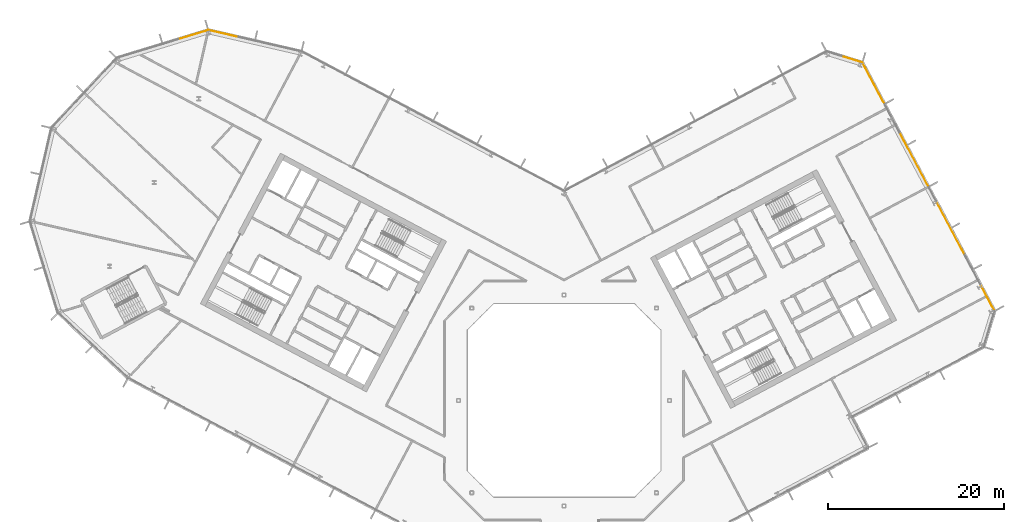
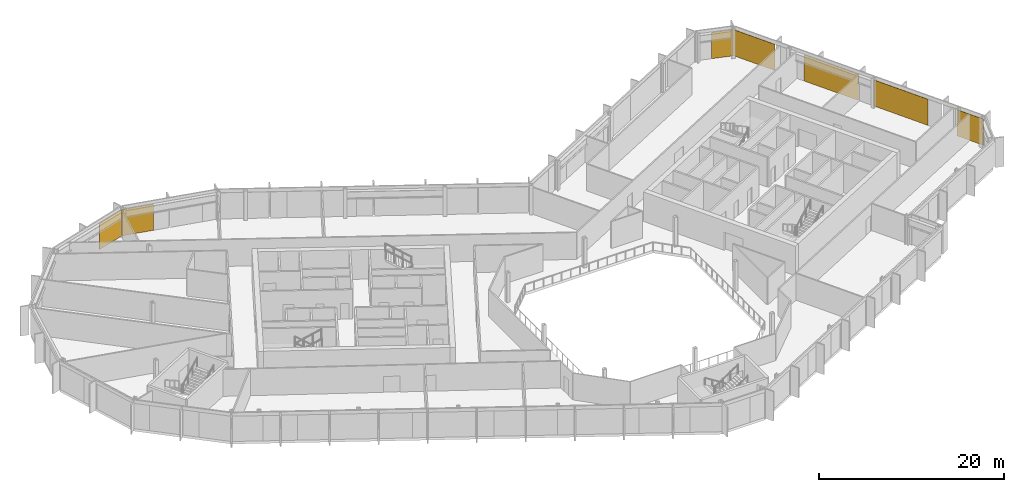
# One storey, part 26 of 26: 7 coverings, 4 elements without a shape of their own.
"""IFC4 building model written with IfcOpenShell, lengths in metres."""

import ifcopenshell
import ifcopenshell.guid

model = None  # the IFC model being written
_history = None  # IfcOwnerHistory: only IFC2X3 demands one
_inside = {}  # id of a spatial element -> (the spatial element, [elements in it])
_under = {}  # id of a project, library or spatial element -> (it, [spatial elements below it])
_declared = {}  # id of a project -> (the project, [libraries it declares])
_typed = {}  # id of a type object -> (the type object, [elements of that type])
_made_of = {}  # id of a material, layer set ... -> (it, [elements and type objects made of it])


def new_model(schema):
    """Start an empty IFC model of exactly this schema.

    Asked for "IFC4X3", IfcOpenShell would pick the latest addendum, in which some entities
    have other attributes; the version numbers below select the first issue.
    IFC2X3 requires an IfcOwnerHistory on every rooted entity: one is made here for all.
    """
    global model, _history
    if schema == "IFC4X3":
        model = ifcopenshell.file(schema_version=(4, 3, 0, 0))
    else:
        model = ifcopenshell.file(schema=schema)
    _inside.clear()
    _under.clear()
    _declared.clear()
    _typed.clear()
    _made_of.clear()
    _history = None
    if model.schema == "IFC2X3":
        org = make("IfcOrganization", Name="unknown")
        user = make(
            "IfcPersonAndOrganization",
            ThePerson=make("IfcPerson", FamilyName="unknown"),
            TheOrganization=org,
        )
        app = make(
            "IfcApplication",
            ApplicationDeveloper=org,
            Version="unknown",
            ApplicationFullName="unknown",
            ApplicationIdentifier="unknown",
        )
        _history = make(
            "IfcOwnerHistory",
            OwningUser=user,
            OwningApplication=app,
            ChangeAction="ADDED",
            CreationDate=0,
        )
    return model


def make(cls, **values):
    """One entity of the class cls with the attributes given. An attribute that is None is left unset."""
    return model.create_entity(
        cls, **{name: value for name, value in values.items() if value is not None}
    )


def rooted(cls, **values):
    """An entity with a GlobalId (a new one), such as an element, a storey or a relation."""
    return make(cls, GlobalId=ifcopenshell.guid.new(), OwnerHistory=_history, **values)


def si_unit(unit_type, name, prefix=None):
    """IfcSIUnit, for example si_unit("LENGTHUNIT", "METRE", prefix="MILLI")."""
    return make("IfcSIUnit", UnitType=unit_type, Prefix=prefix, Name=name)


def assignment(units):
    """IfcUnitAssignment: the units of a project."""
    return None if units is None else make("IfcUnitAssignment", Units=units)


def point(xyz):
    """IfcCartesianPoint."""
    return None if xyz is None else make("IfcCartesianPoint", Coordinates=xyz)


def direction(xyz):
    """IfcDirection."""
    return None if xyz is None else make("IfcDirection", DirectionRatios=xyz)


def frame(location, z_axis=None, x_axis=None):
    """IfcAxis2Placement3D, a coordinate frame: its origin and axes. An axis left out is left unset."""
    return make(
        "IfcAxis2Placement3D",
        Location=point(location),
        Axis=direction(z_axis),
        RefDirection=direction(x_axis),
    )


def frame_2d(location, x_axis=None):
    """IfcAxis2Placement2D, a coordinate frame in the plane: its origin and x axis."""
    return make(
        "IfcAxis2Placement2D", Location=point(location), RefDirection=direction(x_axis)
    )


def origin():
    """The frame at (0, 0, 0) with its axes left unset."""
    return frame((0.0, 0.0, 0.0))


def origin_2d():
    """The frame at (0, 0) in the plane with its x axis left unset."""
    return frame_2d((0.0, 0.0))


def place(relative_to, where):
    """IfcLocalPlacement: puts the frame where relative to a parent placement (None: the world)."""
    return make(
        "IfcLocalPlacement", PlacementRelTo=relative_to, RelativePlacement=where
    )


def context(
    kind, dimensions, precision=None, world=None, true_north=None, identifier=None
):
    """IfcGeometricRepresentationContext, for example the 3D "Model" context."""
    return make(
        "IfcGeometricRepresentationContext",
        ContextIdentifier=identifier,
        ContextType=kind,
        CoordinateSpaceDimension=dimensions,
        Precision=precision,
        WorldCoordinateSystem=world,
        TrueNorth=true_north,
    )


def subcontext(parent, identifier, kind, view, scale=None):
    """IfcGeometricRepresentationSubContext, for example "Body" below "Model"."""
    return make(
        "IfcGeometricRepresentationSubContext",
        ContextIdentifier=identifier,
        ContextType=kind,
        ParentContext=parent,
        TargetScale=scale,
        TargetView=view,
    )


def project(units=None, contexts=None):
    """IfcProject with its units and contexts."""
    return rooted(
        "IfcProject",
        Name="project",
        RepresentationContexts=contexts,
        UnitsInContext=assignment(units),
    )


def spatial(cls, under=None, at=None, **own):
    """A site, building, storey or space (cls), placed at a placement, below another one or the project."""
    s = rooted(cls, ObjectPlacement=at, **own)
    if under is not None:
        _under.setdefault(under.id(), (under, []))[1].append(s)
    return s


def profile(cls, at=None, kind="AREA", **sizes):
    """A parametric profile (cls). Its sizes go by their IFC names, for example OverallWidth=200.0."""
    return make(cls, ProfileType=kind, Position=at, **sizes)


def rectangle(**sizes):
    """IfcRectangleProfileDef."""
    return profile("IfcRectangleProfileDef", **sizes)


def extrude(swept, where, along, depth):
    """IfcExtrudedAreaSolid: the profile swept, set in the frame where, extruded along a direction by depth."""
    return make(
        "IfcExtrudedAreaSolid",
        SweptArea=swept,
        Position=where,
        ExtrudedDirection=direction(along),
        Depth=depth,
    )


def shape(context_of_items, identifier, shape_type, items):
    """IfcShapeRepresentation: the items that make up one representation, for example the "Body"."""
    return make(
        "IfcShapeRepresentation",
        ContextOfItems=context_of_items,
        RepresentationIdentifier=identifier,
        RepresentationType=shape_type,
        Items=items,
    )


def material(Name=None, Category=None):
    """IfcMaterial."""
    return make("IfcMaterial", Name=Name, Category=Category)


def layer(
    of_material, thickness, ventilated=None, Name=None, Category=None, Priority=None
):
    """IfcMaterialLayer: one layer of a wall or slab, of a material (None: an air gap)."""
    return make(
        "IfcMaterialLayer",
        Material=of_material,
        LayerThickness=thickness,
        IsVentilated=ventilated,
        Name=Name,
        Category=Category,
        Priority=Priority,
    )


def layer_set(layers, Name=None):
    """IfcMaterialLayerSet."""
    return make("IfcMaterialLayerSet", MaterialLayers=layers, LayerSetName=Name)


def made_of(thing, what):
    """Note that an element or type object is made of a material, layer set ...; save() writes the relation."""
    if what is not None:
        _made_of.setdefault(what.id(), (what, []))[1].append(thing)
    return thing


def type_object(cls, material=None, **own):
    """A type object (cls), such as IfcWallType, which elements share."""
    return made_of(rooted(cls, **own), material)


def element(
    cls,
    number,
    at=None,
    inside=None,
    cuts=None,
    type_object=None,
    material=None,
    context=None,
    identifier="Body",
    shape_type=None,
    held_by="IfcProductDefinitionShape",
    body=None,
    shapes=None,
    **own,
):
    """One element of the class cls, such as IfcWall. Its Tag is "e" and its number.

    at: its placement. inside: the storey or other place that contains it. cuts: it is an
    opening in that element (IfcRelVoidsElement). A single representation is given by context,
    identifier, shape_type and body (its items); several are given by shapes. held_by: the class
    of the entity that holds the representations. save() writes the other relations.
    """
    e = rooted(cls, Tag="e%d" % number, ObjectPlacement=at, **own)
    if body is not None:
        shapes = [shape(context, identifier, shape_type, body)]
    if shapes is not None:
        e.Representation = make(held_by, Representations=shapes)
    if inside is not None:
        _inside.setdefault(inside.id(), (inside, []))[1].append(e)
    if cuts is not None:
        rooted(
            "IfcRelVoidsElement", RelatingBuildingElement=cuts, RelatedOpeningElement=e
        )
    if type_object is not None:
        _typed.setdefault(type_object.id(), (type_object, []))[1].append(e)
    return made_of(e, material)


def aggregate(whole, parts):
    """IfcRelAggregates: a whole, such as a stair, and the parts it consists of."""
    return rooted("IfcRelAggregates", RelatingObject=whole, RelatedObjects=parts)


def save(model, path):
    """Write the relations noted so far, then the file.

    IfcRelAggregates (storeys below a building ...), IfcRelContainedInSpatialStructure (elements
    in a storey), IfcRelDefinesByType, IfcRelAssociatesMaterial and IfcRelDeclares: one each for
    every whole, place, type object, material and project.
    """
    for whole, parts in _under.values():
        aggregate(whole, parts)
    for where, things in _inside.values():
        rooted(
            "IfcRelContainedInSpatialStructure",
            RelatedElements=things,
            RelatingStructure=where,
        )
    for kind, things in _typed.values():
        rooted("IfcRelDefinesByType", RelatedObjects=things, RelatingType=kind)
    for what, things in _made_of.values():
        rooted("IfcRelAssociatesMaterial", RelatedObjects=things, RelatingMaterial=what)
    for by, libraries in _declared.values():
        rooted("IfcRelDeclares", RelatingContext=by, RelatedDefinitions=libraries)
    model.write(path)


model = new_model("IFC4")

# Units and contexts
model_context = context("Model", 3, precision=1e-05, world=origin(), true_north=direction((0.0, 1.0)))
body_context = subcontext(model_context, "Body", "Model", "MODEL_VIEW")
ifc_project = project(units=[si_unit("LENGTHUNIT", "METRE"), si_unit("AREAUNIT", "SQUARE_METRE"), si_unit("VOLUMEUNIT", "CUBIC_METRE"), si_unit("PLANEANGLEUNIT", "RADIAN"), si_unit("MASSUNIT", "GRAM", prefix="KILO")], contexts=[model_context])

# Site, building, storey
site_placement = place(None, origin())
site = spatial("IfcSite", under=ifc_project, at=site_placement, CompositionType="ELEMENT")
building_placement = place(site_placement, origin())
building = spatial("IfcBuilding", under=site, at=building_placement, Name="Cormorant Relay Tower", CompositionType="ELEMENT")
storey_placement = place(building_placement, frame((0.0, 0.0, 213.0)))
storey = spatial("IfcBuildingStorey", under=building, at=storey_placement, Name="L46", CompositionType="ELEMENT", Elevation=213.0)

# Curtain wall, coverings
ifc_material_1 = material(Name="Aluminium 6063-T6 anodised bronze", Category="aluminium")
ifc_layer_1 = layer(ifc_material_1, 0.199951171875)
ifc_layer_set_1 = layer_set([ifc_layer_1], Name="CW1 unitised bronze curtain wall with vertical fins")
curtain_wall_type = type_object("IfcCurtainWallType", Name="CW1 unitised bronze curtain wall with vertical fins", PredefinedType="NOTDEFINED", material=ifc_layer_set_1)
curtain_wall_1_placement = place(storey_placement, origin())
curtain_wall_1 = element("IfcCurtainWall", 1, at=curtain_wall_1_placement, inside=storey, type_object=curtain_wall_type, Name="CW1 curtain wall 6", PredefinedType="NOTDEFINED")
ifc_material_2 = material(Name="Pale bronze anodised aluminium insulated panel", Category="aluminium")
ifc_layer_2 = layer(ifc_material_2, 0.0400390625)
ifc_layer_set_2 = layer_set([ifc_layer_2], Name="CW1 pale bronze insulated panel 40")
covering_type = type_object("IfcCoveringType", Name="CW1 pale bronze insulated panel 40", PredefinedType="CLADDING", material=ifc_layer_set_2)
covering_1_placement = place(storey_placement, frame((48.142333984375, 11.74267578125, 0.0), z_axis=(0.0, 0.0, 1.0), x_axis=(-0.469471562786, 0.882947592859, 0.0)))
covering_1 = element("IfcCovering", 2, at=covering_1_placement, type_object=covering_type, Name="CW1 panel S00", PredefinedType="CLADDING", context=body_context, shape_type="SweptSolid", body=[
    extrude(rectangle(XDim=3.38330078125, YDim=0.0400390625, at=origin_2d()), origin(), (0.0, 0.0, 1.0), 3.449951171875),
])
covering_2_placement = place(storey_placement, frame((43.964111328125, 19.600830078125, 0.0), z_axis=(0.0, 0.0, 1.0), x_axis=(-0.469471562786, 0.882947592859, 0.0)))
covering_2 = element("IfcCovering", 3, at=covering_2_placement, type_object=covering_type, Name="CW1 panel S03", PredefinedType="CLADDING", context=body_context, shape_type="SweptSolid", body=[
    extrude(rectangle(XDim=6.916748046875, YDim=0.0400390625, at=origin_2d()), origin(), (0.0, 0.0, 1.0), 3.449951171875),
])
covering_3_placement = place(storey_placement, frame((39.801513671875, 27.4296875, 0.0), z_axis=(0.0, 0.0, 1.0), x_axis=(-0.469471562786, 0.882947592859, 0.0)))
covering_3 = element("IfcCovering", 4, at=covering_3_placement, type_object=covering_type, Name="CW1 panel S05", PredefinedType="CLADDING", context=body_context, shape_type="SweptSolid", body=[
    extrude(rectangle(XDim=6.916748046875, YDim=0.0400390625, at=origin_2d()), origin(), (0.0, 0.0, 1.0), 3.449951171875),
])
covering_4_placement = place(storey_placement, frame((35.18310546875, 36.11572265625, 0.0), z_axis=(0.0, 0.0, 1.0), x_axis=(-0.469471562786, 0.882947592859, 0.0)))
covering_4 = element("IfcCovering", 5, at=covering_4_placement, type_object=covering_type, Name="CW1 panel S07", PredefinedType="CLADDING", context=body_context, shape_type="SweptSolid", body=[
    extrude(rectangle(XDim=5.25830078125, YDim=0.0400390625, at=origin_2d()), origin(), (0.0, 0.0, 1.0), 3.449951171875),
])
aggregate(curtain_wall_1, [covering_1, covering_2, covering_3, covering_4])

# Curtain wall, covering
curtain_wall_2_placement = place(storey_placement, origin())
curtain_wall_2 = element("IfcCurtainWall", 6, at=curtain_wall_2_placement, inside=storey, type_object=curtain_wall_type, Name="CW1 curtain wall 7", PredefinedType="NOTDEFINED")
covering_5_placement = place(storey_placement, frame((32.73291015625, 38.81494140625, 0.0), z_axis=(0.0, 0.0, 1.0), x_axis=(-0.956304755963, 0.292371704723, 0.0)))
covering_5 = element("IfcCovering", 7, at=covering_5_placement, type_object=covering_type, Name="CW1 panel S00", PredefinedType="CLADDING", context=body_context, shape_type="SweptSolid", body=[
    extrude(rectangle(XDim=2.36767578125, YDim=0.0400390625, at=origin_2d()), origin(), (0.0, 0.0, 1.0), 3.449951171875),
])
aggregate(curtain_wall_2, [covering_5])

curtain_wall_3_placement = place(storey_placement, origin())
curtain_wall_3 = element("IfcCurtainWall", 8, at=curtain_wall_3_placement, inside=storey, type_object=curtain_wall_type, Name="CW1 curtain wall 10", PredefinedType="NOTDEFINED")
covering_6_placement = place(storey_placement, frame((-38.7265625, 41.732421875, 0.0), z_axis=(0.0, 0.0, 1.0), x_axis=(-0.974370064785, 0.224951054344, 0.0)))
covering_6 = element("IfcCovering", 9, at=covering_6_placement, type_object=covering_type, Name="CW1 panel S03", PredefinedType="CLADDING", context=body_context, shape_type="SweptSolid", body=[
    extrude(rectangle(XDim=3.560302734375, YDim=0.0400390625, at=origin_2d()), origin(), (0.0, 0.0, 1.0), 3.449951171875),
])
aggregate(curtain_wall_3, [covering_6])

curtain_wall_4_placement = place(storey_placement, origin())
curtain_wall_4 = element("IfcCurtainWall", 10, at=curtain_wall_4_placement, inside=storey, type_object=curtain_wall_type, Name="CW1 curtain wall 11", PredefinedType="NOTDEFINED")
covering_7_placement = place(storey_placement, frame((-42.209716796875, 41.60107421875, 0.0), z_axis=(0.0, 0.0, 1.0), x_axis=(-0.956304755963, -0.292371704723, 0.0)))
covering_7 = element("IfcCovering", 11, at=covering_7_placement, type_object=covering_type, Name="CW1 panel S00", PredefinedType="CLADDING", context=body_context, shape_type="SweptSolid", body=[
    extrude(rectangle(XDim=3.485107421875, YDim=0.0400390625, at=origin_2d()), origin(), (0.0, 0.0, 1.0), 3.449951171875),
])
aggregate(curtain_wall_4, [covering_7])

save(model, "model.ifc")
